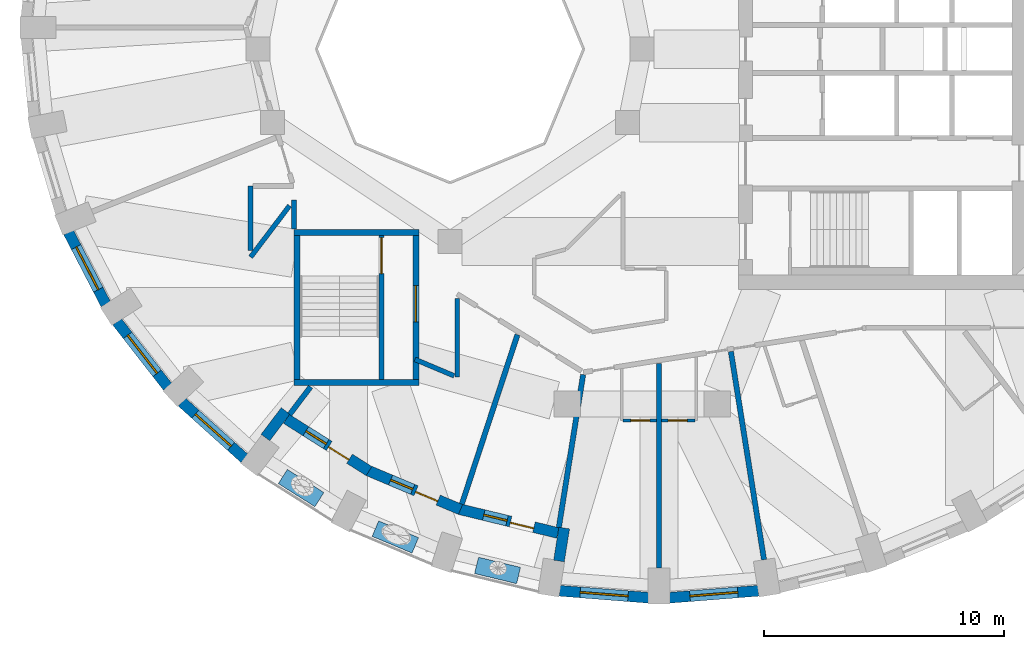
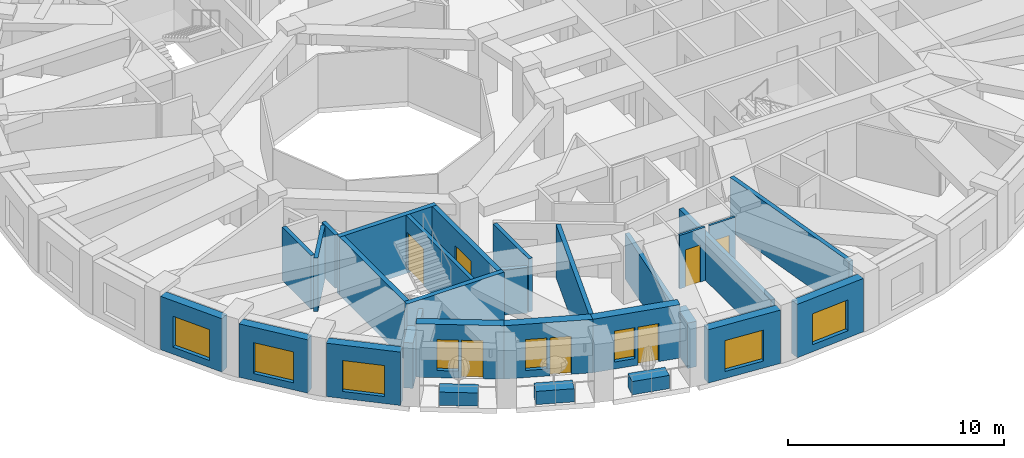
# One storey, part 3 of 12: 30 walls, 8 windows, 7 doors, 15 openings.
"""IFC4 building model written with IfcOpenShell, lengths in metres."""

from ifc_helpers import new_model, si_unit, direction, frame, frame_2d, origin, place, context, subcontext, project, spatial, rectangle, extrude, material, layer, layer_set, constituent, constituent_set, type_object, element, fill, save


model = new_model("IFC4")

# Units and contexts
model_context = context("Model", 3, precision=1e-05, world=origin(), true_north=direction((0.0, 1.0)))
body_context = subcontext(model_context, "Body", "Model", "MODEL_VIEW")
ifc_project = project(units=[si_unit("LENGTHUNIT", "METRE"), si_unit("AREAUNIT", "SQUARE_METRE"), si_unit("VOLUMEUNIT", "CUBIC_METRE"), si_unit("PLANEANGLEUNIT", "RADIAN"), si_unit("MASSUNIT", "GRAM", prefix="KILO")], contexts=[model_context])

# Site, building, storey
site_placement = place(None, origin())
site = spatial("IfcSite", under=ifc_project, at=site_placement, CompositionType="ELEMENT")
building_placement = place(site_placement, origin())
building = spatial("IfcBuilding", under=site, at=building_placement, Name="Taillehof Tower", CompositionType="ELEMENT")
storey_placement = place(building_placement, frame((0.0, 0.0, 212.300048828125)))
storey = spatial("IfcBuildingStorey", under=building, at=storey_placement, Name="L60", CompositionType="ELEMENT", Elevation=212.300048828125)

# Wall, opening, window
ifc_material_1 = material(Name="Brick masonry", Category="masonry")
ifc_layer_1 = layer(ifc_material_1, 0.449951171875)
ifc_layer_set_1 = layer_set([ifc_layer_1], Name="Brick infill wall 450")
wall_type_1 = type_object("IfcWallType", Name="Brick infill wall 450", PredefinedType="SOLIDWALL", material=ifc_layer_set_1)
wall_1_placement = place(storey_placement, frame((-23.878173828125, -7.631591796875, 0.0), z_axis=(0.0, 0.0, 1.0), x_axis=(0.460232593174, -0.887798378113, 0.0)))
wall_1 = element("IfcWall", 1, at=wall_1_placement, inside=storey, type_object=wall_type_1, Name="Brick wall L60 bay 21", PredefinedType="SOLIDWALL", context=body_context, shape_type="SweptSolid", body=[
    extrude(rectangle(XDim=3.37060546875, YDim=0.449951171875, at=frame_2d((1.685302734375, 0.0))), origin(), (0.0, 0.0, 1.0), 3.02001953125),
])
opening_1_placement = place(wall_1_placement, frame((0.685302734375, 0.0, 0.39990234375)))
opening_1 = element("IfcOpeningElement", 2, at=opening_1_placement, cuts=wall_1, Name="Opening W2", PredefinedType="OPENING", context=body_context, shape_type="SweptSolid", body=[
    extrude(rectangle(XDim=2.0, YDim=1.75, at=frame_2d((1.0, 0.875))), frame((0.0, 0.23486328125, 0.0), z_axis=(0.0, -1.0, 0.0), x_axis=(1.0, 0.0, 0.0)), (0.0, 0.0, 1.0), 0.469970703125),
])
ifc_material_2 = material(Name="Aluminium window frame with clear double glazing", Category="aluminium")
window_type_1 = type_object("IfcWindowType", Name="Deep-set window 2000x1750", PartitioningType="SINGLE_PANEL", PredefinedType="WINDOW", material=ifc_material_2)
window_1_placement = place(opening_1_placement, origin())
window_1 = element("IfcWindow", 3, at=window_1_placement, inside=storey, type_object=window_type_1, Name="W2", OverallHeight=1.75, OverallWidth=2.0, PartitioningType="SINGLE_PANEL", PredefinedType="WINDOW", context=body_context, shape_type="SweptSolid", body=[
    extrude(rectangle(XDim=2.0, YDim=1.75, at=frame_2d((1.0, 0.875))), frame((0.0, 0.034912109375, 0.0), z_axis=(0.0, -1.0, 0.0), x_axis=(1.0, 0.0, 0.0)), (0.0, 0.0, 1.0), 0.06005859375),
])
fill(opening_1, window_1)

wall_2_placement = place(storey_placement, frame((-21.86279296875, -11.348388671875, 0.0), z_axis=(0.0, 0.0, 1.0), x_axis=(0.614255239631, -0.789107407509, 0.0)))
wall_2 = element("IfcWall", 4, at=wall_2_placement, inside=storey, type_object=wall_type_1, Name="Brick wall L60 bay 22", PredefinedType="SOLIDWALL", context=body_context, shape_type="SweptSolid", body=[
    extrude(rectangle(XDim=3.4375, YDim=0.449951171875, at=frame_2d((1.71875, 0.0))), origin(), (0.0, 0.0, 1.0), 3.02001953125),
])
opening_2_placement = place(wall_2_placement, frame((0.71875, 0.0, 0.39990234375)))
opening_2 = element("IfcOpeningElement", 5, at=opening_2_placement, cuts=wall_2, Name="Opening W2", PredefinedType="OPENING", context=body_context, shape_type="SweptSolid", body=[
    extrude(rectangle(XDim=2.0, YDim=1.75, at=frame_2d((1.0, 0.875))), frame((0.0, 0.23486328125, 0.0), z_axis=(0.0, -1.0, 0.0), x_axis=(1.0, 0.0, 0.0)), (0.0, 0.0, 1.0), 0.469970703125),
])
window_2_placement = place(opening_2_placement, origin())
window_2 = element("IfcWindow", 6, at=window_2_placement, inside=storey, type_object=window_type_1, Name="W2", OverallHeight=1.75, OverallWidth=2.0, PartitioningType="SINGLE_PANEL", PredefinedType="WINDOW", context=body_context, shape_type="SweptSolid", body=[
    extrude(rectangle(XDim=2.0, YDim=1.75, at=frame_2d((1.0, 0.875))), frame((0.0, 0.034912109375, 0.0), z_axis=(0.0, -1.0, 0.0), x_axis=(1.0, 0.0, 0.0)), (0.0, 0.0, 1.0), 0.06005859375),
])
fill(opening_2, window_2)

wall_3_placement = place(storey_placement, frame((-19.1650390625, -14.6904296875, 0.0), z_axis=(0.0, 0.0, 1.0), x_axis=(0.743442727602, -0.668799604348, 0.0)))
wall_3 = element("IfcWall", 7, at=wall_3_placement, inside=storey, type_object=wall_type_1, Name="Brick wall L60 bay 23", PredefinedType="SOLIDWALL", context=body_context, shape_type="SweptSolid", body=[
    extrude(rectangle(XDim=3.5126953125, YDim=0.449951171875, at=frame_2d((1.75634765625, 0.0))), origin(), (0.0, 0.0, 1.0), 3.02001953125),
])
opening_3_placement = place(wall_3_placement, frame((0.75634765625, 0.0, 0.39990234375)))
opening_3 = element("IfcOpeningElement", 8, at=opening_3_placement, cuts=wall_3, Name="Opening W2", PredefinedType="OPENING", context=body_context, shape_type="SweptSolid", body=[
    extrude(rectangle(XDim=2.0, YDim=1.75, at=frame_2d((1.0, 0.875))), frame((0.0, 0.23486328125, 0.0), z_axis=(0.0, -1.0, 0.0), x_axis=(1.0, 0.0, 0.0)), (0.0, 0.0, 1.0), 0.469970703125),
])
window_3_placement = place(opening_3_placement, origin())
window_3 = element("IfcWindow", 9, at=window_3_placement, inside=storey, type_object=window_type_1, Name="W2", OverallHeight=1.75, OverallWidth=2.0, PartitioningType="SINGLE_PANEL", PredefinedType="WINDOW", context=body_context, shape_type="SweptSolid", body=[
    extrude(rectangle(XDim=2.0, YDim=1.75, at=frame_2d((1.0, 0.875))), frame((0.0, 0.034912109375, 0.0), z_axis=(0.0, -1.0, 0.0), x_axis=(1.0, 0.0, 0.0)), (0.0, 0.0, 1.0), 0.06005859375),
])
fill(opening_3, window_3)

wall_4_placement = place(storey_placement, frame((-3.441162109375, -22.54833984375, 0.0), z_axis=(0.0, 0.0, 1.0), x_axis=(0.996913971077, -0.078501810629, 0.0)))
wall_4 = element("IfcWall", 10, at=wall_4_placement, inside=storey, type_object=wall_type_1, Name="Brick wall L60 bay 27", PredefinedType="SOLIDWALL", context=body_context, shape_type="SweptSolid", body=[
    extrude(rectangle(XDim=3.72265625, YDim=0.449951171875, at=frame_2d((1.861328125, 0.0))), origin(), (0.0, 0.0, 1.0), 3.02001953125),
])
opening_4_placement = place(wall_4_placement, frame((0.861328125, 0.0, 0.39990234375)))
opening_4 = element("IfcOpeningElement", 11, at=opening_4_placement, cuts=wall_4, Name="Opening W2", PredefinedType="OPENING", context=body_context, shape_type="SweptSolid", body=[
    extrude(rectangle(XDim=2.0, YDim=1.75, at=frame_2d((1.0, 0.875))), frame((0.0, 0.23486328125, 0.0), z_axis=(0.0, -1.0, 0.0), x_axis=(1.0, 0.0, 0.0)), (0.0, 0.0, 1.0), 0.469970703125),
])
window_4_placement = place(opening_4_placement, origin())
window_4 = element("IfcWindow", 12, at=window_4_placement, inside=storey, type_object=window_type_1, Name="W2", OverallHeight=1.75, OverallWidth=2.0, PartitioningType="SINGLE_PANEL", PredefinedType="WINDOW", context=body_context, shape_type="SweptSolid", body=[
    extrude(rectangle(XDim=2.0, YDim=1.75, at=frame_2d((1.0, 0.875))), frame((0.0, 0.034912109375, 0.0), z_axis=(0.0, -1.0, 0.0), x_axis=(1.0, 0.0, 0.0)), (0.0, 0.0, 1.0), 0.06005859375),
])
fill(opening_4, window_4)

wall_5_placement = place(storey_placement, frame((1.130126953125, -22.840576171875, 0.0), z_axis=(0.0, 0.0, 1.0), x_axis=(0.996913566885, 0.078506943392, 0.0)))
wall_5 = element("IfcWall", 13, at=wall_5_placement, inside=storey, type_object=wall_type_1, Name="Brick wall L60 bay 28", PredefinedType="SOLIDWALL", context=body_context, shape_type="SweptSolid", body=[
    extrude(rectangle(XDim=3.722412109375, YDim=0.449951171875, at=frame_2d((1.861328125, 0.0))), origin(), (0.0, 0.0, 1.0), 3.02001953125),
])
opening_5_placement = place(wall_5_placement, frame((0.861328125, 0.0, 0.39990234375)))
opening_5 = element("IfcOpeningElement", 14, at=opening_5_placement, cuts=wall_5, Name="Opening W2", PredefinedType="OPENING", context=body_context, shape_type="SweptSolid", body=[
    extrude(rectangle(XDim=2.0, YDim=1.75, at=frame_2d((1.0, 0.875))), frame((0.0, 0.23486328125, 0.0), z_axis=(0.0, -1.0, 0.0), x_axis=(1.0, 0.0, 0.0)), (0.0, 0.0, 1.0), 0.469970703125),
])
window_5_placement = place(opening_5_placement, origin())
window_5 = element("IfcWindow", 15, at=window_5_placement, inside=storey, type_object=window_type_1, Name="W2", OverallHeight=1.75, OverallWidth=2.0, PartitioningType="SINGLE_PANEL", PredefinedType="WINDOW", context=body_context, shape_type="SweptSolid", body=[
    extrude(rectangle(XDim=2.0, YDim=1.75, at=frame_2d((1.0, 0.875))), frame((0.0, 0.034912109375, 0.0), z_axis=(0.0, -1.0, 0.0), x_axis=(1.0, 0.0, 0.0)), (0.0, 0.0, 1.0), 0.06005859375),
])
fill(opening_5, window_5)

# Walls
wall_6_placement = place(storey_placement, frame((-15.684814453125, -16.169921875, 0.0), z_axis=(0.0, 0.0, 1.0), x_axis=(0.603644757989, 0.797253414011, 0.0)))
element("IfcWall", 16, at=wall_6_placement, inside=storey, type_object=wall_type_1, Name="Brick reveal L60 pocket 7", PredefinedType="SOLIDWALL", context=body_context, shape_type="SweptSolid", body=[
    extrude(rectangle(XDim=1.390869140625, YDim=0.449951171875, at=frame_2d((0.6953125, 0.0))), origin(), (0.0, 0.0, 1.0), 2.570068359375),
])
wall_7_placement = place(storey_placement, frame((-3.46435546875, -21.309326171875, 0.0), z_axis=(0.0, 0.0, 1.0), x_axis=(0.157161757203, 0.98757287431, 0.0)))
element("IfcWall", 17, at=wall_7_placement, inside=storey, type_object=wall_type_1, Name="Brick reveal L60 pocket 7", PredefinedType="SOLIDWALL", context=body_context, shape_type="SweptSolid", body=[
    extrude(rectangle(XDim=1.390380859375, YDim=0.449951171875, at=frame_2d((0.6953125, 0.0))), origin(), (0.0, 0.0, 1.0), 2.570068359375),
])

# Wall, openings, door, window
wall_8_placement = place(storey_placement, frame((-14.813232421875, -15.3916015625, 0.0), z_axis=(0.0, 0.0, 1.0), x_axis=(0.84545185308, -0.534051649303, 0.0)))
wall_8 = element("IfcWall", 18, at=wall_8_placement, inside=storey, type_object=wall_type_1, Name="Brick wall L60 pocket bay 24", PredefinedType="SOLIDWALL", context=body_context, shape_type="SweptSolid", body=[
    extrude(rectangle(XDim=4.0712890625, YDim=0.449951171875, at=frame_2d((2.03564453125, 0.0))), origin(), (0.0, 0.0, 1.0), 3.02001953125),
])
opening_6_placement = place(wall_8_placement, frame((0.960693359375, 0.0, 0.39990234375)))
opening_6 = element("IfcOpeningElement", 19, at=opening_6_placement, cuts=wall_8, Name="Opening W5", PredefinedType="OPENING", context=body_context, shape_type="SweptSolid", body=[
    extrude(rectangle(XDim=1.0, YDim=1.75, at=frame_2d((0.5, 0.875))), frame((0.0, 0.23486328125, 0.0), z_axis=(0.0, -1.0, 0.0), x_axis=(1.0, 0.0, 0.0)), (0.0, 0.0, 1.0), 0.469970703125),
])
opening_7_placement = place(wall_8_placement, frame((2.110595703125, 0.0, 0.0)))
opening_7 = element("IfcOpeningElement", 20, at=opening_7_placement, cuts=wall_8, Name="Opening D6091", PredefinedType="OPENING", context=body_context, shape_type="SweptSolid", body=[
    extrude(rectangle(XDim=1.0, YDim=2.14990234375, at=frame_2d((0.5, 1.074951171875))), frame((0.0, 0.23486328125, 0.0), z_axis=(0.0, -1.0, 0.0), x_axis=(1.0, 0.0, 0.0)), (0.0, 0.0, 1.0), 0.469970703125),
])
ifc_material_3 = material(Name="Aluminium door frame with clear double glazing", Category="aluminium")
door_type_1 = type_object("IfcDoorType", Name="Balcony door 1000x2150", OperationType="SINGLE_SWING_RIGHT", PredefinedType="DOOR", material=ifc_material_3)
door_1_placement = place(opening_7_placement, frame((1.0, 0.0, 0.0), z_axis=(0.0, 0.0, 1.0), x_axis=(-1.0, 0.0, 0.0)))
door_1 = element("IfcDoor", 21, at=door_1_placement, inside=storey, type_object=door_type_1, Name="Balcony door L60 bay 24", OperationType="SINGLE_SWING_RIGHT", OverallHeight=2.14990234375, OverallWidth=1.0, PredefinedType="DOOR", context=body_context, shape_type="SweptSolid", body=[
    extrude(rectangle(XDim=1.0, YDim=2.14990234375, at=frame_2d((0.5, 1.074951171875))), frame((0.0, 0.0751953125, 0.0), z_axis=(0.0, -1.0, 0.0), x_axis=(1.0, 0.0, 0.0)), (0.0, 0.0, 1.0), 0.050048828125),
])
fill(opening_7, door_1)
ifc_material_4 = material(Name="Aluminium window frame with clear double glazing", Category="aluminium")
window_type_2 = type_object("IfcWindowType", Name="Fixed window 1000x1750", PartitioningType="SINGLE_PANEL", PredefinedType="WINDOW", material=ifc_material_4)
window_6_placement = place(opening_6_placement, origin())
window_6 = element("IfcWindow", 22, at=window_6_placement, inside=storey, type_object=window_type_2, Name="W5", OverallHeight=1.75, OverallWidth=1.0, PartitioningType="SINGLE_PANEL", PredefinedType="WINDOW", context=body_context, shape_type="SweptSolid", body=[
    extrude(rectangle(XDim=1.0, YDim=1.75, at=frame_2d((0.5, 0.875))), frame((0.0, 0.034912109375, 0.0), z_axis=(0.0, -1.0, 0.0), x_axis=(1.0, 0.0, 0.0)), (0.0, 0.0, 1.0), 0.06005859375),
])
fill(opening_6, window_6)

wall_9_placement = place(storey_placement, frame((-11.404052734375, -17.548583984375, 0.0), z_axis=(0.0, 0.0, 1.0), x_axis=(0.921751093055, -0.387782055351, 0.0)))
wall_9 = element("IfcWall", 23, at=wall_9_placement, inside=storey, type_object=wall_type_1, Name="Brick wall L60 pocket bay 25", PredefinedType="SOLIDWALL", context=body_context, shape_type="SweptSolid", body=[
    extrude(rectangle(XDim=4.16845703125, YDim=0.449951171875, at=frame_2d((2.084228515625, 0.0))), origin(), (0.0, 0.0, 1.0), 3.02001953125),
])
opening_8_placement = place(wall_9_placement, frame((1.00927734375, 0.0, 0.39990234375)))
opening_8 = element("IfcOpeningElement", 24, at=opening_8_placement, cuts=wall_9, Name="Opening W5", PredefinedType="OPENING", context=body_context, shape_type="SweptSolid", body=[
    extrude(rectangle(XDim=1.0, YDim=1.75, at=frame_2d((0.5, 0.875))), frame((0.0, 0.23486328125, 0.0), z_axis=(0.0, -1.0, 0.0), x_axis=(1.0, 0.0, 0.0)), (0.0, 0.0, 1.0), 0.469970703125),
])
opening_9_placement = place(wall_9_placement, frame((2.1591796875, 0.0, 0.0)))
opening_9 = element("IfcOpeningElement", 25, at=opening_9_placement, cuts=wall_9, Name="Opening D6092", PredefinedType="OPENING", context=body_context, shape_type="SweptSolid", body=[
    extrude(rectangle(XDim=1.0, YDim=2.14990234375, at=frame_2d((0.5, 1.074951171875))), frame((0.0, 0.23486328125, 0.0), z_axis=(0.0, -1.0, 0.0), x_axis=(1.0, 0.0, 0.0)), (0.0, 0.0, 1.0), 0.469970703125),
])
door_2_placement = place(opening_9_placement, frame((1.0, 0.0, 0.0), z_axis=(0.0, 0.0, 1.0), x_axis=(-1.0, 0.0, 0.0)))
door_2 = element("IfcDoor", 26, at=door_2_placement, inside=storey, type_object=door_type_1, Name="Balcony door L60 bay 25", OperationType="SINGLE_SWING_LEFT", OverallHeight=2.14990234375, OverallWidth=1.0, PredefinedType="DOOR", context=body_context, shape_type="SweptSolid", body=[
    extrude(rectangle(XDim=1.0, YDim=2.14990234375, at=frame_2d((0.5, 1.074951171875))), frame((0.0, 0.0751953125, 0.0), z_axis=(0.0, -1.0, 0.0), x_axis=(1.0, 0.0, 0.0)), (0.0, 0.0, 1.0), 0.050048828125),
])
fill(opening_9, door_2)
window_7_placement = place(opening_8_placement, origin())
window_7 = element("IfcWindow", 27, at=window_7_placement, inside=storey, type_object=window_type_2, Name="W5", OverallHeight=1.75, OverallWidth=1.0, PartitioningType="SINGLE_PANEL", PredefinedType="WINDOW", context=body_context, shape_type="SweptSolid", body=[
    extrude(rectangle(XDim=1.0, YDim=1.75, at=frame_2d((0.5, 0.875))), frame((0.0, 0.034912109375, 0.0), z_axis=(0.0, -1.0, 0.0), x_axis=(1.0, 0.0, 0.0)), (0.0, 0.0, 1.0), 0.06005859375),
])
fill(opening_8, window_7)

wall_10_placement = place(storey_placement, frame((-7.595947265625, -19.15380859375, 0.0), z_axis=(0.0, 0.0, 1.0), x_axis=(0.972004107579, -0.234963858602, 0.0)))
wall_10 = element("IfcWall", 28, at=wall_10_placement, inside=storey, type_object=wall_type_1, Name="Brick wall L60 pocket bay 26", PredefinedType="SOLIDWALL", context=body_context, shape_type="SweptSolid", body=[
    extrude(rectangle(XDim=4.20703125, YDim=0.449951171875, at=frame_2d((2.103515625, 0.0))), origin(), (0.0, 0.0, 1.0), 3.02001953125),
])
opening_10_placement = place(wall_10_placement, frame((1.028564453125, 0.0, 0.39990234375)))
opening_10 = element("IfcOpeningElement", 29, at=opening_10_placement, cuts=wall_10, Name="Opening W5", PredefinedType="OPENING", context=body_context, shape_type="SweptSolid", body=[
    extrude(rectangle(XDim=1.0, YDim=1.75, at=frame_2d((0.5, 0.875))), frame((0.0, 0.23486328125, 0.0), z_axis=(0.0, -1.0, 0.0), x_axis=(1.0, 0.0, 0.0)), (0.0, 0.0, 1.0), 0.469970703125),
])
opening_11_placement = place(wall_10_placement, frame((2.1787109375, 0.0, 0.0)))
opening_11 = element("IfcOpeningElement", 30, at=opening_11_placement, cuts=wall_10, Name="Opening D6093", PredefinedType="OPENING", context=body_context, shape_type="SweptSolid", body=[
    extrude(rectangle(XDim=1.0, YDim=2.14990234375, at=frame_2d((0.5, 1.074951171875))), frame((0.0, 0.23486328125, 0.0), z_axis=(0.0, -1.0, 0.0), x_axis=(1.0, 0.0, 0.0)), (0.0, 0.0, 1.0), 0.469970703125),
])
door_3_placement = place(opening_11_placement, frame((1.0, 0.0, 0.0), z_axis=(0.0, 0.0, 1.0), x_axis=(-1.0, 0.0, 0.0)))
door_3 = element("IfcDoor", 31, at=door_3_placement, inside=storey, type_object=door_type_1, Name="Balcony door L60 bay 26", OperationType="SINGLE_SWING_LEFT", OverallHeight=2.14990234375, OverallWidth=1.0, PredefinedType="DOOR", context=body_context, shape_type="SweptSolid", body=[
    extrude(rectangle(XDim=1.0, YDim=2.14990234375, at=frame_2d((0.5, 1.074951171875))), frame((0.0, 0.0751953125, 0.0), z_axis=(0.0, -1.0, 0.0), x_axis=(1.0, 0.0, 0.0)), (0.0, 0.0, 1.0), 0.050048828125),
])
fill(opening_11, door_3)
window_8_placement = place(opening_10_placement, origin())
window_8 = element("IfcWindow", 32, at=window_8_placement, inside=storey, type_object=window_type_2, Name="W5", OverallHeight=1.75, OverallWidth=1.0, PartitioningType="SINGLE_PANEL", PredefinedType="WINDOW", context=body_context, shape_type="SweptSolid", body=[
    extrude(rectangle(XDim=1.0, YDim=1.75, at=frame_2d((0.5, 0.875))), frame((0.0, 0.034912109375, 0.0), z_axis=(0.0, -1.0, 0.0), x_axis=(1.0, 0.0, 0.0)), (0.0, 0.0, 1.0), 0.06005859375),
])
fill(opening_10, window_8)

# Walls
ifc_material_5 = material(Name="Gypsum board on steel studs, two layers each side", Category="steel")
ifc_layer_2 = layer(ifc_material_5, 0.199951171875)
ifc_layer_set_2 = layer_set([ifc_layer_2], Name="Compartment wall corridor 200")
wall_type_2 = type_object("IfcWallType", Name="Compartment wall corridor 200", PredefinedType="PARTITIONING", material=ifc_layer_set_2)
wall_11_placement = place(storey_placement, frame((-7.699951171875, -10.37548828125, 0.0), z_axis=(0.0, 0.0, 1.0), x_axis=(0.0, -1.0, 0.0)))
element("IfcWall", 33, at=wall_11_placement, inside=storey, type_object=wall_type_2, Name="Compartment wall", PredefinedType="PARTITIONING", context=body_context, shape_type="SweptSolid", body=[
    extrude(rectangle(XDim=3.27978515625, YDim=0.199951171875, at=frame_2d((1.639892578125, 0.0))), origin(), (0.0, 0.0, 1.0), 3.02001953125),
])
wall_12_placement = place(storey_placement, frame((-7.829833984375, -13.6005859375, 0.0), z_axis=(0.0, 0.0, 1.0), x_axis=(-0.921793770535, 0.387680596112, 0.0)))
element("IfcWall", 34, at=wall_12_placement, inside=storey, type_object=wall_type_2, Name="Compartment wall", PredefinedType="PARTITIONING", context=body_context, shape_type="SweptSolid", body=[
    extrude(rectangle(XDim=1.76904296875, YDim=0.199951171875, at=frame_2d((0.884521484375, 0.0))), origin(), (0.0, 0.0, 1.0), 2.570068359375),
])
wall_13_placement = place(storey_placement, frame((-14.5, -7.49609375, 0.0), z_axis=(0.0, 0.0, 1.0), x_axis=(0.0, 1.0, 0.0)))
element("IfcWall", 35, at=wall_13_placement, inside=storey, type_object=wall_type_2, Name="Compartment wall", PredefinedType="PARTITIONING", context=body_context, shape_type="SweptSolid", body=[
    extrude(rectangle(XDim=1.2158203125, YDim=0.199951171875, at=frame_2d((0.60791015625, 0.0))), origin(), (0.0, 0.0, 1.0), 3.02001953125),
])
wall_14_placement = place(storey_placement, frame((-14.679443359375, -6.518310546875, 0.0), z_axis=(0.0, 0.0, 1.0), x_axis=(-0.603820908912, -0.797120009761, 0.0)))
element("IfcWall", 36, at=wall_14_placement, inside=storey, type_object=wall_type_2, Name="Compartment wall", PredefinedType="PARTITIONING", context=body_context, shape_type="SweptSolid", body=[
    extrude(rectangle(XDim=2.683837890625, YDim=0.199951171875, at=frame_2d((1.341796875, 0.0))), origin(), (0.0, 0.0, 1.0), 3.02001953125),
])
wall_15_placement = place(storey_placement, frame((-16.300048828125, -8.37744140625, 0.0), z_axis=(0.0, 0.0, 1.0), x_axis=(0.0, 1.0, 0.0)))
element("IfcWall", 37, at=wall_15_placement, inside=storey, type_object=wall_type_2, Name="Compartment wall", PredefinedType="PARTITIONING", context=body_context, shape_type="SweptSolid", body=[
    extrude(rectangle(XDim=2.677490234375, YDim=0.199951171875, at=frame_2d((1.3388671875, 0.0))), origin(), (0.0, 0.0, 1.0), 3.02001953125),
])
ifc_material_6 = material(Name="Gypsum board on double steel studs with mineral wool", Category="steel")
ifc_layer_3 = layer(ifc_material_6, 0.219970703125)
ifc_layer_set_3 = layer_set([ifc_layer_3], Name="Compartment wall guest room 220")
wall_type_3 = type_object("IfcWallType", Name="Compartment wall guest room 220", PredefinedType="PARTITIONING", material=ifc_layer_set_3)
wall_16_placement = place(storey_placement, frame((-14.677001953125, -15.21142578125, 0.0), z_axis=(0.0, 0.0, 1.0), x_axis=(0.603665965776, 0.797237355976, 0.0)))
element("IfcWall", 38, at=wall_16_placement, inside=storey, type_object=wall_type_3, Name="Compartment wall", PredefinedType="PARTITIONING", context=body_context, shape_type="SweptSolid", body=[
    extrude(rectangle(XDim=1.446533203125, YDim=0.219970703125, at=frame_2d((0.72314453125, 0.0))), origin(), (0.0, 0.0, 1.0), 2.570068359375),
])
wall_17_placement = place(storey_placement, frame((-7.508056640625, -18.943603515625, 0.0), z_axis=(0.0, 0.0, 1.0), x_axis=(0.311962912662, 0.950094280124, 0.0)))
element("IfcWall", 39, at=wall_17_placement, inside=storey, type_object=wall_type_3, Name="Compartment wall", PredefinedType="PARTITIONING", context=body_context, shape_type="SweptSolid", body=[
    extrude(rectangle(XDim=7.424560546875, YDim=0.219970703125, at=frame_2d((3.71240234375, 0.0))), origin(), (0.0, 0.0, 1.0), 3.02001953125),
])
wall_18_placement = place(storey_placement, frame((-3.470947265625, -19.91943359375, 0.0), z_axis=(0.0, 0.0, 1.0), x_axis=(0.157082319053, 0.987585512774, 0.0)))
element("IfcWall", 40, at=wall_18_placement, inside=storey, type_object=wall_type_3, Name="Compartment wall", PredefinedType="PARTITIONING", context=body_context, shape_type="SweptSolid", body=[
    extrude(rectangle(XDim=6.448486328125, YDim=0.219970703125, at=frame_2d((3.22412109375, 0.0))), origin(), (0.0, 0.0, 1.0), 2.570068359375),
])
wall_19_placement = place(storey_placement, frame((0.699951171875, -21.60009765625, 0.0), z_axis=(0.0, 0.0, 1.0), x_axis=(0.0, 1.0, 0.0)))
element("IfcWall", 41, at=wall_19_placement, inside=storey, type_object=wall_type_3, Name="Compartment wall", PredefinedType="PARTITIONING", context=body_context, shape_type="SweptSolid", body=[
    extrude(rectangle(XDim=8.521240234375, YDim=0.219970703125, at=frame_2d((4.2607421875, 0.0))), origin(), (0.0, 0.0, 1.0), 2.570068359375),
])
wall_20_placement = place(storey_placement, frame((5.071044921875, -21.256103515625, 0.0), z_axis=(0.0, 0.0, 1.0), x_axis=(-0.157132312818, 0.987577559622, 0.0)))
element("IfcWall", 42, at=wall_20_placement, inside=storey, type_object=wall_type_3, Name="Compartment wall", PredefinedType="PARTITIONING", context=body_context, shape_type="SweptSolid", body=[
    extrude(rectangle(XDim=8.777099609375, YDim=0.219970703125, at=frame_2d((4.388671875, 0.0))), origin(), (0.0, 0.0, 1.0), 3.02001953125),
])

# Wall, opening, door
ifc_material_7 = material(Name="Gypsum board on steel studs, moisture resistant", Category="steel")
ifc_layer_4 = layer(ifc_material_7, 0.1201171875)
ifc_layer_set_4 = layer_set([ifc_layer_4], Name="En-suite wall 120")
wall_type_4 = type_object("IfcWallType", Name="En-suite wall 120", PredefinedType="PARTITIONING", material=ifc_layer_set_4)
wall_21_placement = place(storey_placement, frame((-0.7900390625, -15.45751953125, 0.0), z_axis=(0.0, 0.0, 1.0), x_axis=(1.0, 0.0, 0.0)))
wall_21 = element("IfcWall", 43, at=wall_21_placement, inside=storey, type_object=wall_type_4, Name="En-suite wall", PredefinedType="PARTITIONING", context=body_context, shape_type="SweptSolid", body=[
    extrude(rectangle(XDim=1.3798828125, YDim=0.1201171875, at=frame_2d((0.68994140625, 0.0))), origin(), (0.0, 0.0, 1.0), 3.02001953125),
])
opening_12_placement = place(wall_21_placement, frame((0.31494140625, 0.0, 0.0)))
opening_12 = element("IfcOpeningElement", 44, at=opening_12_placement, cuts=wall_21, Name="Opening D6055", PredefinedType="OPENING", context=body_context, shape_type="SweptSolid", body=[
    extrude(rectangle(XDim=0.800048828125, YDim=2.10009765625, at=frame_2d((0.39990234375, 1.050048828125))), frame((0.0, 0.070068359375, 0.0), z_axis=(0.0, -1.0, 0.0), x_axis=(1.0, 0.0, 0.0)), (0.0, 0.0, 1.0), 0.14013671875),
])
ifc_material_8 = material(Name="Timber door leaf in steel frame", Category="steel")
door_type_2 = type_object("IfcDoorType", Name="En-suite door 800 x 2100", OperationType="SINGLE_SWING_LEFT", PredefinedType="DOOR", material=ifc_material_8)
door_4_placement = place(opening_12_placement, origin())
door_4 = element("IfcDoor", 45, at=door_4_placement, inside=storey, type_object=door_type_2, Name="D6055", OperationType="SINGLE_SWING_LEFT", OverallHeight=2.10009765625, OverallWidth=0.800048828125, PredefinedType="DOOR", context=body_context, shape_type="SweptSolid", body=[
    extrude(rectangle(XDim=0.800048828125, YDim=2.10009765625, at=frame_2d((0.39990234375, 1.050048828125))), frame((0.0, 0.02490234375, 0.0), z_axis=(0.0, -1.0, 0.0), x_axis=(1.0, 0.0, 0.0)), (0.0, 0.0, 1.0), 0.050048828125),
])
fill(opening_12, door_4)

wall_22_placement = place(storey_placement, frame((2.18994140625, -15.45751953125, 0.0), z_axis=(0.0, 0.0, 1.0), x_axis=(-1.0, 0.0, 0.0)))
wall_22 = element("IfcWall", 46, at=wall_22_placement, inside=storey, type_object=wall_type_4, Name="En-suite wall", PredefinedType="PARTITIONING", context=body_context, shape_type="SweptSolid", body=[
    extrude(rectangle(XDim=1.3798828125, YDim=0.1201171875, at=frame_2d((0.68994140625, 0.0))), origin(), (0.0, 0.0, 1.0), 3.02001953125),
])
opening_13_placement = place(wall_22_placement, frame((0.31494140625, 0.0, 0.0)))
opening_13 = element("IfcOpeningElement", 47, at=opening_13_placement, cuts=wall_22, Name="Opening D6057", PredefinedType="OPENING", context=body_context, shape_type="SweptSolid", body=[
    extrude(rectangle(XDim=0.800048828125, YDim=2.10009765625, at=frame_2d((0.39990234375, 1.050048828125))), frame((0.0, 0.070068359375, 0.0), z_axis=(0.0, -1.0, 0.0), x_axis=(1.0, 0.0, 0.0)), (0.0, 0.0, 1.0), 0.14013671875),
])
door_5_placement = place(opening_13_placement, origin())
door_5 = element("IfcDoor", 48, at=door_5_placement, inside=storey, type_object=door_type_2, Name="D6057", OperationType="SINGLE_SWING_RIGHT", OverallHeight=2.10009765625, OverallWidth=0.800048828125, PredefinedType="DOOR", context=body_context, shape_type="SweptSolid", body=[
    extrude(rectangle(XDim=0.800048828125, YDim=2.10009765625, at=frame_2d((0.39990234375, 1.050048828125))), frame((0.0, 0.02490234375, 0.0), z_axis=(0.0, -1.0, 0.0), x_axis=(1.0, 0.0, 0.0)), (0.0, 0.0, 1.0), 0.050048828125),
])
fill(opening_13, door_5)

# Walls
ifc_material_9 = material(Name="Concrete C30/37 precast", Category="concrete")
ifc_constituent_1 = constituent(ifc_material_9, Name="Structure", Category="concrete")
ifc_material_10 = material(Name="Insulated lining")
ifc_constituent_2 = constituent(ifc_material_10, Name="Lining")
ifc_constituent_set = constituent_set(constituents=[ifc_constituent_1, ifc_constituent_2], Name="Planter trough 700x750")
wall_type_5 = type_object("IfcWallType", Name="Planter trough 700x750", PredefinedType="USERDEFINED", material=ifc_constituent_set)
wall_23_placement = place(storey_placement, frame((-14.959716796875, -17.793212890625, 0.0), z_axis=(0.0, 0.0, 1.0), x_axis=(0.846126379677, -0.532982316418, 0.0)))
element("IfcWall", 49, at=wall_23_placement, inside=storey, type_object=wall_type_5, Name="Planter L60 bay 24", ObjectType="PLANTER", PredefinedType="USERDEFINED", context=body_context, shape_type="SweptSolid", body=[
    extrude(rectangle(XDim=1.80029296875, YDim=0.699951171875, at=frame_2d((0.900146484375, 0.0))), origin(), (0.0, 0.0, 1.0), 0.75),
])
wall_24_placement = place(storey_placement, frame((-11.10595703125, -19.9619140625, 0.0), z_axis=(0.0, 0.0, 1.0), x_axis=(0.922155368213, -0.386819695564, 0.0)))
element("IfcWall", 50, at=wall_24_placement, inside=storey, type_object=wall_type_5, Name="Planter L60 bay 25", ObjectType="PLANTER", PredefinedType="USERDEFINED", context=body_context, shape_type="SweptSolid", body=[
    extrude(rectangle(XDim=1.800048828125, YDim=0.699951171875, at=frame_2d((0.89990234375, 0.0))), origin(), (0.0, 0.0, 1.0), 0.75),
])
wall_25_placement = place(storey_placement, frame((-6.896240234375, -21.4921875, 0.0), z_axis=(0.0, 0.0, 1.0), x_axis=(0.972142986016, -0.234388597717, 0.0)))
element("IfcWall", 51, at=wall_25_placement, inside=storey, type_object=wall_type_5, Name="Planter L60 bay 26", ObjectType="PLANTER", PredefinedType="USERDEFINED", context=body_context, shape_type="SweptSolid", body=[
    extrude(rectangle(XDim=1.7998046875, YDim=0.699951171875, at=frame_2d((0.89990234375, 0.0))), origin(), (0.0, 0.0, 1.0), 0.75),
])

# Wall, opening, door
ifc_material_11 = material(Name="Concrete C50/60", Category="concrete")
ifc_layer_5 = layer(ifc_material_11, 0.199951171875)
ifc_layer_set_5 = layer_set([ifc_layer_5], Name="Shaft wall C50/60 200")
wall_type_6 = type_object("IfcWallType", Name="Shaft wall C50/60 200", PredefinedType="SHEAR", material=ifc_layer_set_5)
wall_26_placement = place(storey_placement, frame((-10.85009765625, -13.75, 0.0), z_axis=(0.0, 0.0, 1.0), x_axis=(0.0, 1.0, 0.0)))
wall_26 = element("IfcWall", 52, at=wall_26_placement, inside=storey, type_object=wall_type_6, Name="Shaft wall SW", PredefinedType="SHEAR", context=body_context, shape_type="SweptSolid", body=[
    extrude(rectangle(XDim=6.0, YDim=0.199951171875, at=frame_2d((3.0, 0.0))), origin(), (0.0, 0.0, 1.0), 3.02001953125),
])
opening_14_placement = place(wall_26_placement, frame((4.39990234375, 0.0, 0.0)))
opening_14 = element("IfcOpeningElement", 53, at=opening_14_placement, cuts=wall_26, Name="Opening D6013", PredefinedType="OPENING", context=body_context, shape_type="SweptSolid", body=[
    extrude(rectangle(XDim=1.5, YDim=2.10009765625, at=frame_2d((0.75, 1.050048828125))), frame((0.0, 0.10986328125, 0.0), z_axis=(0.0, -1.0, 0.0), x_axis=(1.0, 0.0, 0.0)), (0.0, 0.0, 1.0), 0.219970703125),
])
ifc_material_12 = material(Name="Steel-faced fire door", Category="steel")
door_type_3 = type_object("IfcDoorType", Name="Stair door 1500x2100", OperationType="DOUBLE_DOOR_SINGLE_SWING", PredefinedType="DOOR", material=ifc_material_12)
door_6_placement = place(opening_14_placement, origin())
door_6 = element("IfcDoor", 54, at=door_6_placement, inside=storey, type_object=door_type_3, Name="Stair lobby door S4", OperationType="DOUBLE_DOOR_SINGLE_SWING", OverallHeight=2.10009765625, OverallWidth=1.5, PredefinedType="DOOR", context=body_context, shape_type="SweptSolid", body=[
    extrude(rectangle(XDim=1.5, YDim=2.10009765625, at=frame_2d((0.75, 1.050048828125))), frame((0.0, 0.02490234375, 0.0), z_axis=(0.0, -1.0, 0.0), x_axis=(1.0, 0.0, 0.0)), (0.0, 0.0, 1.0), 0.050048828125),
])
fill(opening_14, door_6)

# Wall
ifc_material_13 = material(Name="Concrete C50/60", Category="concrete")
ifc_layer_6 = layer(ifc_material_13, 0.25)
ifc_layer_set_6 = layer_set([ifc_layer_6], Name="Stair wall C50/60 250")
wall_type_7 = type_object("IfcWallType", Name="Stair wall C50/60 250", PredefinedType="SHEAR", material=ifc_layer_set_6)
wall_27_placement = place(storey_placement, frame((-14.375, -13.75, -0.280029296875), z_axis=(0.0, 0.0, 1.0), x_axis=(0.0, 1.0, 0.0)))
element("IfcWall", 55, at=wall_27_placement, inside=storey, type_object=wall_type_7, Name="Stair wall SC", PredefinedType="SHEAR", context=body_context, shape_type="SweptSolid", body=[
    extrude(rectangle(XDim=6.0, YDim=0.25, at=frame_2d((3.0, 0.0))), origin(), (0.0, 0.0, 1.0), 3.300048828125),
])

# Wall, opening, door
wall_28_placement = place(storey_placement, frame((-9.425048828125, -13.75, -0.280029296875), z_axis=(0.0, 0.0, 1.0), x_axis=(0.0, 1.0, 0.0)))
wall_28 = element("IfcWall", 56, at=wall_28_placement, inside=storey, type_object=wall_type_7, Name="Stair wall SC", PredefinedType="SHEAR", context=body_context, shape_type="SweptSolid", body=[
    extrude(rectangle(XDim=6.0, YDim=0.25, at=frame_2d((3.0, 0.0))), origin(), (0.0, 0.0, 1.0), 3.300048828125),
])
opening_15_placement = place(wall_28_placement, frame((2.39990234375, 0.0, 0.280029296875)))
opening_15 = element("IfcOpeningElement", 57, at=opening_15_placement, cuts=wall_28, Name="Opening D6016", PredefinedType="OPENING", context=body_context, shape_type="SweptSolid", body=[
    extrude(rectangle(XDim=1.5, YDim=2.10009765625, at=frame_2d((0.75, 1.050048828125))), frame((0.0, 0.135009765625, 0.0), z_axis=(0.0, -1.0, 0.0), x_axis=(1.0, 0.0, 0.0)), (0.0, 0.0, 1.0), 0.27001953125),
])
door_7_placement = place(opening_15_placement, origin())
door_7 = element("IfcDoor", 58, at=door_7_placement, inside=storey, type_object=door_type_3, Name="Stair door S4", OperationType="DOUBLE_DOOR_SINGLE_SWING", OverallHeight=2.10009765625, OverallWidth=1.5, PredefinedType="DOOR", context=body_context, shape_type="SweptSolid", body=[
    extrude(rectangle(XDim=1.5, YDim=2.10009765625, at=frame_2d((0.75, 1.050048828125))), frame((0.0, 0.02490234375, 0.0), z_axis=(0.0, -1.0, 0.0), x_axis=(1.0, 0.0, 0.0)), (0.0, 0.0, 1.0), 0.050048828125),
])
fill(opening_15, door_7)

# Walls
for number, where, z_axis, x_axis, name in (
    (59, (-14.5, -7.625, -0.280029296875), (0.0, 0.0, 1.0), (1.0, 0.0, 0.0), "Stair wall SC"),
    (60, (-14.5, -13.875, -0.280029296875), (0.0, 0.0, 1.0), (1.0, 0.0, 0.0), "Stair wall SC"),
):
    element("IfcWall", number, at=place(storey_placement, frame(where, z_axis=z_axis, x_axis=x_axis)), inside=storey, type_object=wall_type_7, Name=name, PredefinedType="SHEAR", context=body_context, shape_type="SweptSolid", body=[
        extrude(rectangle(XDim=5.199951171875, YDim=0.25, at=frame_2d((2.60009765625, 0.0))), origin(), (0.0, 0.0, 1.0), 3.300048828125),
    ])

save(model, "model.ifc")
